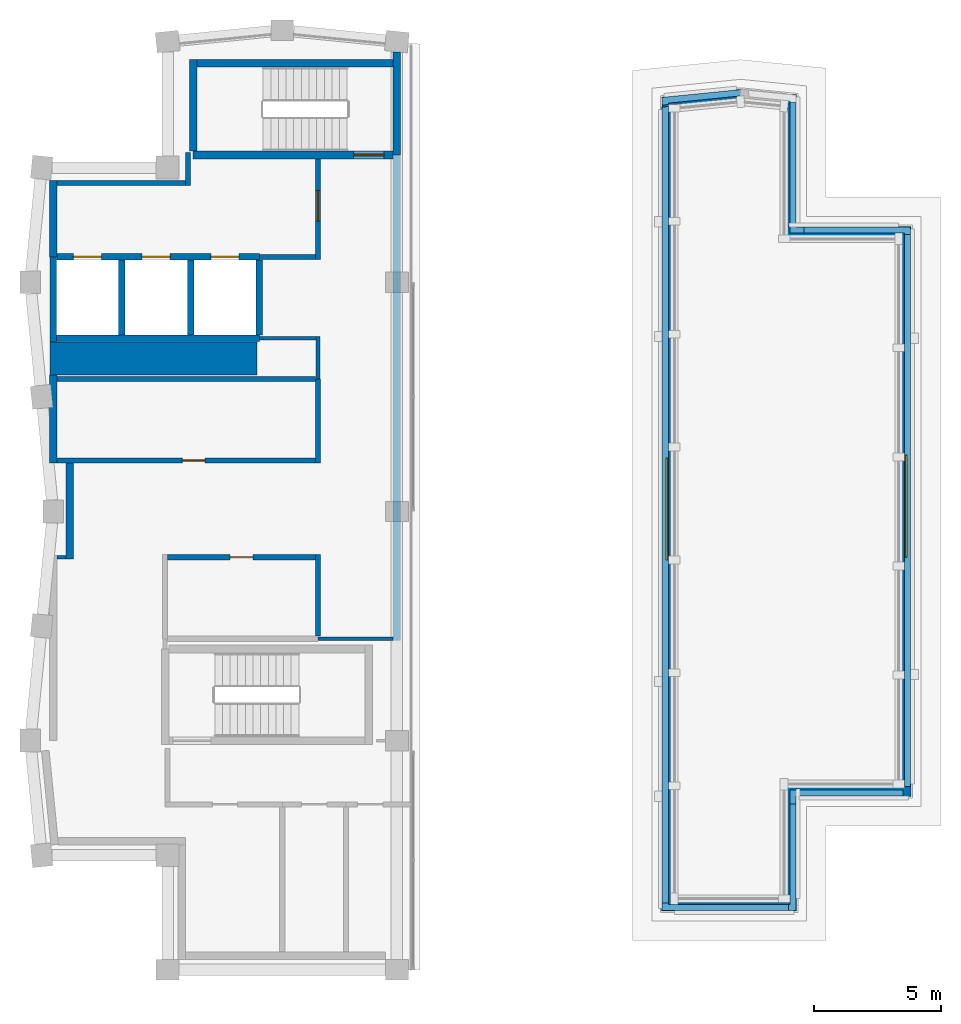
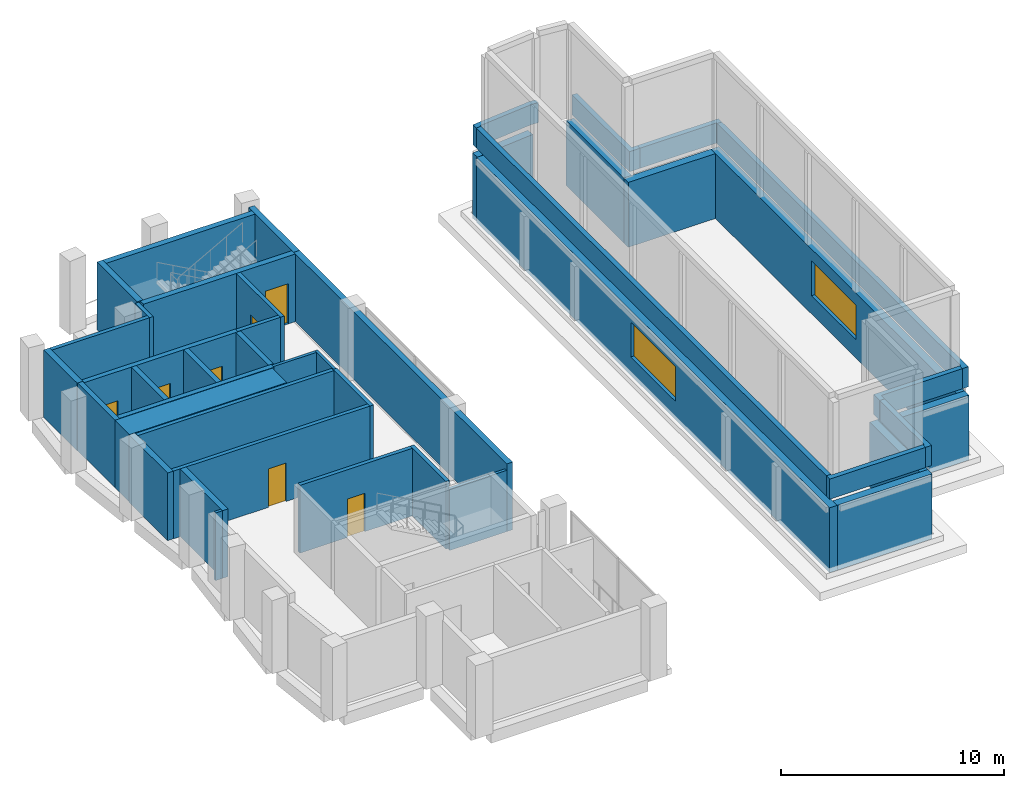
# One storey, part 5 of 8: 44 walls, 7 doors, 2 windows, 9 openings.
"""IFC4 building model written with IfcOpenShell, lengths in metres."""

from ifc_helpers import new_model, si_unit, direction, frame, frame_2d, origin, place, context, subcontext, project, spatial, polyline, rectangle, outline, extrude, material, layer, layer_set, type_object, element, fill, save


model = new_model("IFC4")

# Units and contexts
model_context = context("Model", 3, precision=1e-05, world=origin(), true_north=direction((0.0, 1.0)))
body_context = subcontext(model_context, "Body", "Model", "MODEL_VIEW")
ifc_project = project(units=[si_unit("LENGTHUNIT", "METRE"), si_unit("AREAUNIT", "SQUARE_METRE"), si_unit("VOLUMEUNIT", "CUBIC_METRE"), si_unit("PLANEANGLEUNIT", "RADIAN"), si_unit("MASSUNIT", "GRAM", prefix="KILO")], contexts=[model_context])

# Site, building, storey
site_placement = place(None, origin())
site = spatial("IfcSite", under=ifc_project, at=site_placement, CompositionType="ELEMENT")
building_placement = place(site_placement, origin())
building = spatial("IfcBuilding", under=site, at=building_placement, Name="Brondeck Convention Tower", CompositionType="ELEMENT")
storey_placement = place(building_placement, frame((0.0, 0.0, 302.800048828125)))
storey = spatial("IfcBuildingStorey", under=building, at=storey_placement, Name="L75", CompositionType="ELEMENT", Elevation=302.800048828125)

# Walls
ifc_material_1 = material(Name="Concrete C50/60", Category="concrete")
ifc_layer_1 = layer(ifc_material_1, 0.300048828125)
ifc_layer_set_1 = layer_set([ifc_layer_1], Name="Core outer wall 300 Concrete C50/60")
wall_type_1 = type_object("IfcWallType", Name="Core outer wall 300 Concrete C50/60", PredefinedType="SHEAR", material=ifc_layer_set_1)
wall_1_placement = place(storey_placement, frame((0.0, 46.89990234375, 0.0), z_axis=(0.0, 0.0, 1.0), x_axis=(0.0, 1.0, 0.0)))
element("IfcWall", 1, at=wall_1_placement, inside=storey, type_object=wall_type_1, Name="L75 core wall", PredefinedType="SHEAR", context=body_context, shape_type="SweptSolid", body=[
    extrude(rectangle(XDim=3.4501953125, YDim=0.300048828125, at=frame_2d((1.72509765625, 0.0))), origin(), (0.0, 0.0, 1.0), 3.699951171875),
])
wall_2_placement = place(storey_placement, frame((0.0, 55.0, 0.0), z_axis=(0.0, 0.0, 1.0), x_axis=(0.0, 1.0, 0.0)))
element("IfcWall", 2, at=wall_2_placement, inside=storey, type_object=wall_type_1, Name="L75 core wall", PredefinedType="SHEAR", context=body_context, shape_type="SweptSolid", body=[
    extrude(rectangle(XDim=3.0, YDim=0.300048828125, at=frame_2d((1.5, 0.0))), origin(), (0.0, 0.0, 1.0), 3.699951171875),
])
wall_3_placement = place(storey_placement, frame((0.64990234375, 43.125, 0.0), z_axis=(0.0, 0.0, 1.0), x_axis=(0.0, 1.0, 0.0)))
element("IfcWall", 3, at=wall_3_placement, inside=storey, type_object=wall_type_1, Name="L75 core wall", PredefinedType="SHEAR", context=body_context, shape_type="SweptSolid", body=[
    extrude(rectangle(XDim=3.77490234375, YDim=0.300048828125, at=frame_2d((1.887451171875, 0.0))), origin(), (0.0, 0.0, 1.0), 3.699951171875),
])
wall_4_placement = place(storey_placement, frame((13.5, 39.925048828125, 0.0), z_axis=(0.0, 0.0, 1.0), x_axis=(0.0, 1.0, 0.0)))
element("IfcWall", 4, at=wall_4_placement, inside=storey, type_object=wall_type_1, Name="L75 core wall", PredefinedType="SHEAR", context=body_context, shape_type="SweptSolid", body=[
    extrude(rectangle(XDim=19.074951171875, YDim=0.300048828125, at=frame_2d((9.53759765625, 0.0))), origin(), (0.0, 0.0, 1.0), 3.699951171875),
])
ifc_material_2 = material(Name="Fire-rated gypsum board partition")
ifc_layer_2 = layer(ifc_material_2, 0.14990234375)
ifc_layer_set_2 = layer_set([ifc_layer_2], Name="Core partition 150 EI 60")
wall_type_2 = type_object("IfcWallType", Name="Core partition 150 EI 60", PredefinedType="PARTITIONING", material=ifc_layer_set_2)
wall_5_placement = place(storey_placement, frame((10.39990234375, 40.0, 0.0), z_axis=(0.0, 0.0, 1.0), x_axis=(1.0, 0.0, 0.0)))
element("IfcWall", 5, at=wall_5_placement, inside=storey, type_object=wall_type_2, Name="L75 core wall", PredefinedType="PARTITIONING", context=body_context, shape_type="SweptSolid", body=[
    extrude(rectangle(XDim=2.9501953125, YDim=0.14990234375, at=frame_2d((1.47509765625, 0.0))), origin(), (0.0, 0.0, 1.0), 3.349853515625),
])
wall_6_placement = place(storey_placement, frame((0.14990234375, 43.199951171875, 0.0), z_axis=(0.0, 0.0, 1.0), x_axis=(1.0, 0.0, 0.0)))
element("IfcWall", 6, at=wall_6_placement, inside=storey, type_object=wall_type_2, Name="L75 core wall", PredefinedType="PARTITIONING", context=body_context, shape_type="SweptSolid", body=[
    extrude(rectangle(XDim=0.35009765625, YDim=0.14990234375, at=frame_2d((0.175048828125, 0.0))), origin(), (0.0, 0.0, 1.0), 3.699951171875),
])
wall_7_placement = place(storey_placement, frame((8.10009765625, 51.800048828125, 0.0), z_axis=(0.0, 0.0, 1.0), x_axis=(1.0, 0.0, 0.0)))
element("IfcWall", 7, at=wall_7_placement, inside=storey, type_object=wall_type_2, Name="L75 core wall", PredefinedType="PARTITIONING", context=body_context, shape_type="SweptSolid", body=[
    extrude(rectangle(XDim=2.224853515625, YDim=0.14990234375, at=frame_2d((1.1123046875, 0.0))), origin(), (0.0, 0.0, 1.0), 3.699951171875),
])
wall_8_placement = place(storey_placement, frame((10.39990234375, 50.199951171875, 0.0), z_axis=(0.0, 0.0, 1.0), x_axis=(0.0, 1.0, 0.0)))
element("IfcWall", 8, at=wall_8_placement, inside=storey, type_object=wall_type_2, Name="L75 core wall", PredefinedType="PARTITIONING", context=body_context, shape_type="SweptSolid", body=[
    extrude(rectangle(XDim=1.675048828125, YDim=0.14990234375, at=frame_2d((0.83740234375, 0.0))), origin(), (0.0, 0.0, 1.0), 3.699951171875),
])
ifc_layer_3 = layer(ifc_material_1, 1.300048828125)
ifc_layer_set_3 = layer_set([ifc_layer_3], Name="Core shear wall 1300 Concrete C50/60")
wall_type_3 = type_object("IfcWallType", Name="Core shear wall 1300 Concrete C50/60", PredefinedType="SHEAR", material=ifc_layer_set_3)
wall_9_placement = place(storey_placement, frame((-0.125, 51.0, 0.0), z_axis=(0.0, 0.0, 1.0), x_axis=(1.0, 0.0, 0.0)))
element("IfcWall", 9, at=wall_9_placement, inside=storey, type_object=wall_type_3, Name="L75 core wall", PredefinedType="SHEAR", context=body_context, shape_type="SweptSolid", body=[
    extrude(rectangle(XDim=8.125, YDim=1.300048828125, at=frame_2d((4.0625, 0.0))), origin(), (0.0, 0.0, 1.0), 3.699951171875),
])
ifc_material_3 = material(Name="Precast concrete C50/60 bronze finish", Category="concrete")
ifc_layer_4 = layer(ifc_material_3, 0.39990234375)
ifc_layer_set_4 = layer_set([ifc_layer_4], Name="Crown tier wall, precast concrete C50/60")
wall_type_4 = type_object("IfcWallType", Name="Crown tier wall, precast concrete C50/60", PredefinedType="SOLIDWALL", material=ifc_layer_set_4)
wall_10_placement = place(storey_placement, frame((29.199951171875, 29.5, 0.5), z_axis=(0.0, 0.0, 1.0), x_axis=(-1.0, 0.0, 0.0)))
element("IfcWall", 10, at=wall_10_placement, inside=storey, type_object=wall_type_4, Name="ENV-CT-K2-T2-W01", PredefinedType="SOLIDWALL", context=body_context, shape_type="SweptSolid", body=[
    extrude(rectangle(XDim=4.89990234375, YDim=0.39990234375, at=frame_2d((2.449951171875, 0.0))), origin(), (0.0, 0.0, 1.0), 3.550048828125),
])
for number, where, z_axis, x_axis, name in (
    (11, (29.0, 34.199951171875, 0.5), (0.0, 0.0, 1.0), (0.0, -1.0, 0.0), "ENV-CT-K2-T2-W02"),
    (12, (33.699951171875, 34.0, 0.5), (0.0, 0.0, 1.0), (-1.0, 0.0, 0.0), "ENV-CT-K2-T2-W03"),
):
    element("IfcWall", number, at=place(storey_placement, frame(where, z_axis=z_axis, x_axis=x_axis)), inside=storey, type_object=wall_type_4, Name=name, PredefinedType="SOLIDWALL", context=body_context, shape_type="SweptSolid", body=[
        extrude(rectangle(XDim=4.5, YDim=0.39990234375, at=frame_2d((2.25, 0.0))), origin(), (0.0, 0.0, 1.0), 3.550048828125),
    ])

# Wall, opening, window
wall_11_placement = place(storey_placement, frame((33.5, 56.199951171875, 0.5), z_axis=(0.0, 0.0, 1.0), x_axis=(0.0, -1.0, 0.0)))
wall_11 = element("IfcWall", 13, at=wall_11_placement, inside=storey, type_object=wall_type_4, Name="ENV-CT-K2-T2-W04", PredefinedType="SOLIDWALL", context=body_context, shape_type="SweptSolid", body=[
    extrude(rectangle(XDim=22.001953125, YDim=0.39990234375, at=frame_2d((11.0009765625, 0.0))), origin(), (0.0, 0.0, 1.0), 3.550048828125),
])
opening_1_placement = place(wall_11_placement, frame((9.0009765625, 0.0, 1.0)))
opening_1 = element("IfcOpeningElement", 14, at=opening_1_placement, cuts=wall_11, Name="Opening W7", PredefinedType="OPENING", context=body_context, shape_type="SweptSolid", body=[
    extrude(rectangle(XDim=4.0, YDim=1.89990234375, at=frame_2d((2.0, 0.949951171875))), frame((0.0, 0.2099609375, 0.0), z_axis=(0.0, -1.0, 0.0), x_axis=(1.0, 0.0, 0.0)), (0.0, 0.0, 1.0), 0.419921875),
])
ifc_material_4 = material(Name="Bronze tinted double glazing", Category="glass")
window_type = type_object("IfcWindowType", Name="Crown tier ribbon window, bronze tinted", PartitioningType="SINGLE_PANEL", PredefinedType="WINDOW", material=ifc_material_4)
window_1_placement = place(opening_1_placement, origin())
window_1 = element("IfcWindow", 15, at=window_1_placement, inside=storey, type_object=window_type, Name="ENV-CT-K2-T2-WN04", OverallHeight=1.89990234375, OverallWidth=4.0, PartitioningType="SINGLE_PANEL", PredefinedType="WINDOW", context=body_context, shape_type="SweptSolid", body=[
    extrude(rectangle(XDim=4.0, YDim=1.89990234375, at=frame_2d((2.0, 0.949951171875))), frame((0.0, 0.030029296875, 0.0), z_axis=(0.0, -1.0, 0.0), x_axis=(1.0, 0.0, 0.0)), (0.0, 0.0, 1.0), 0.06005859375),
])
fill(opening_1, window_1)

# Walls
wall_12_placement = place(storey_placement, frame((28.800048828125, 56.0, 0.5), z_axis=(0.0, 0.0, 1.0), x_axis=(1.0, 0.0, 0.0)))
element("IfcWall", 16, at=wall_12_placement, inside=storey, type_object=wall_type_4, Name="ENV-CT-K2-T2-W05", PredefinedType="SOLIDWALL", context=body_context, shape_type="SweptSolid", body=[
    extrude(rectangle(XDim=4.501953125, YDim=0.39990234375, at=frame_2d((2.2509765625, 0.0))), origin(), (0.0, 0.0, 1.0), 3.550048828125),
])
wall_13_placement = place(storey_placement, frame((29.0, 61.368408203125, 0.5), z_axis=(0.0, 0.0, 1.0), x_axis=(0.0, -1.0, 0.0)))
element("IfcWall", 17, at=wall_13_placement, inside=storey, type_object=wall_type_4, Name="ENV-CT-K2-T2-W06", PredefinedType="SOLIDWALL", context=body_context, shape_type="SweptSolid", body=[
    extrude(rectangle(XDim=5.17041015625, YDim=0.39990234375, at=frame_2d((2.585205078125, 0.0))), origin(), (0.0, 0.0, 1.0), 3.550048828125),
])
wall_14_placement = place(storey_placement, frame((23.919921875, 61.07958984375, 0.5), z_axis=(0.0, 0.0, 1.0), x_axis=(0.995041147596, 0.099464137212, 0.0)))
element("IfcWall", 18, at=wall_14_placement, inside=storey, type_object=wall_type_4, Name="ENV-CT-K2-T2-W08", PredefinedType="SOLIDWALL", context=body_context, shape_type="SweptSolid", body=[
    extrude(rectangle(XDim=3.053466796875, YDim=0.39990234375, at=frame_2d((1.52685546875, 0.0))), origin(), (0.0, 0.0, 1.0), 3.550048828125),
])

# Wall, opening, window
wall_15_placement = place(storey_placement, frame((24.10009765625, 29.300048828125, 0.5), z_axis=(0.0, 0.0, 1.0), x_axis=(0.0, 1.0, 0.0)))
wall_15 = element("IfcWall", 19, at=wall_15_placement, inside=storey, type_object=wall_type_4, Name="ENV-CT-K2-T2-W09", PredefinedType="SOLIDWALL", context=body_context, shape_type="SweptSolid", body=[
    extrude(rectangle(XDim=31.591552734375, YDim=0.39990234375, at=frame_2d((15.7958984375, 0.0))), origin(), (0.0, 0.0, 1.0), 3.550048828125),
])
opening_2_placement = place(wall_15_placement, frame((13.795654296875, 0.0, 1.0)))
opening_2 = element("IfcOpeningElement", 20, at=opening_2_placement, cuts=wall_15, Name="Opening W7", PredefinedType="OPENING", context=body_context, shape_type="SweptSolid", body=[
    extrude(rectangle(XDim=4.0, YDim=1.89990234375, at=frame_2d((2.0, 0.949951171875))), frame((0.0, 0.2099609375, 0.0), z_axis=(0.0, -1.0, 0.0), x_axis=(1.0, 0.0, 0.0)), (0.0, 0.0, 1.0), 0.419921875),
])
window_2_placement = place(opening_2_placement, origin())
window_2 = element("IfcWindow", 21, at=window_2_placement, inside=storey, type_object=window_type, Name="ENV-CT-K2-T2-WN09", OverallHeight=1.89990234375, OverallWidth=4.0, PartitioningType="SINGLE_PANEL", PredefinedType="WINDOW", context=body_context, shape_type="SweptSolid", body=[
    extrude(rectangle(XDim=4.0, YDim=1.89990234375, at=frame_2d((2.0, 0.949951171875))), frame((0.0, 0.030029296875, 0.0), z_axis=(0.0, -1.0, 0.0), x_axis=(1.0, 0.0, 0.0)), (0.0, 0.0, 1.0), 0.06005859375),
])
fill(opening_2, window_2)

# Walls
ifc_layer_5 = layer(ifc_material_2, 0.199951171875)
ifc_layer_set_5 = layer_set([ifc_layer_5], Name="Firefighting lobby wall 200 EI 120")
wall_type_5 = type_object("IfcWallType", Name="Firefighting lobby wall 200 EI 120", PredefinedType="PARTITIONING", material=ifc_layer_set_5)
wall_16_placement = place(storey_placement, frame((8.10009765625, 55.0, 0.0), z_axis=(0.0, 0.0, 1.0), x_axis=(1.0, 0.0, 0.0)))
element("IfcWall", 22, at=wall_16_placement, inside=storey, type_object=wall_type_5, Name="L75 core wall", PredefinedType="PARTITIONING", context=body_context, shape_type="SweptSolid", body=[
    extrude(rectangle(XDim=2.199951171875, YDim=0.199951171875, at=frame_2d((1.10009765625, 0.0))), origin(), (0.0, 0.0, 1.0), 3.699951171875),
])
wall_17_placement = place(storey_placement, frame((0.14990234375, 57.89990234375, 0.0), z_axis=(0.0, 0.0, 1.0), x_axis=(1.0, 0.0, 0.0)))
element("IfcWall", 23, at=wall_17_placement, inside=storey, type_object=wall_type_5, Name="L75 core wall", PredefinedType="PARTITIONING", context=body_context, shape_type="SweptSolid", body=[
    extrude(rectangle(XDim=5.050048828125, YDim=0.199951171875, at=frame_2d((2.52490234375, 0.0))), origin(), (0.0, 0.0, 1.0), 3.699951171875),
])
wall_18_placement = place(storey_placement, frame((5.300048828125, 57.800048828125, 0.0), z_axis=(0.0, 0.0, 1.0), x_axis=(0.0, 1.0, 0.0)))
element("IfcWall", 24, at=wall_18_placement, inside=storey, type_object=wall_type_5, Name="L75 core wall", PredefinedType="PARTITIONING", context=body_context, shape_type="SweptSolid", body=[
    extrude(rectangle(XDim=1.300048828125, YDim=0.199951171875, at=frame_2d((0.64990234375, 0.0))), origin(), (0.0, 0.0, 1.0), 3.699951171875),
])

# Wall, opening, door
wall_19_placement = place(storey_placement, frame((10.39990234375, 54.89990234375, 0.0), z_axis=(0.0, 0.0, 1.0), x_axis=(0.0, 1.0, 0.0)))
wall_19 = element("IfcWall", 25, at=wall_19_placement, inside=storey, type_object=wall_type_5, Name="L75 core wall", PredefinedType="PARTITIONING", context=body_context, shape_type="SweptSolid", body=[
    extrude(rectangle(XDim=3.9501953125, YDim=0.199951171875, at=frame_2d((1.97509765625, 0.0))), origin(), (0.0, 0.0, 1.0), 3.699951171875),
])
opening_3_placement = place(wall_19_placement, frame((1.5, 0.0, 0.0)))
opening_3 = element("IfcOpeningElement", 26, at=opening_3_placement, cuts=wall_19, Name="Opening C43-01", PredefinedType="OPENING", context=body_context, shape_type="SweptSolid", body=[
    extrude(rectangle(XDim=1.199951171875, YDim=2.199951171875, at=frame_2d((0.60009765625, 1.10009765625))), frame((0.0, 0.10986328125, 0.0), z_axis=(0.0, -1.0, 0.0), x_axis=(1.0, 0.0, 0.0)), (0.0, 0.0, 1.0), 0.219970703125),
])
ifc_material_5 = material(Name="Steel fire door", Category="steel")
door_type_1 = type_object("IfcDoorType", Name="Firefighting lobby door 1200x2200 EI 120", OperationType="NOTDEFINED", PredefinedType="DOOR", material=ifc_material_5)
door_1_placement = place(opening_3_placement, origin())
door_1 = element("IfcDoor", 27, at=door_1_placement, inside=storey, type_object=door_type_1, Name="L75 Firefighting lobby door FFL-1", OperationType="SINGLE_SWING_RIGHT", OverallHeight=2.199951171875, OverallWidth=1.199951171875, PredefinedType="DOOR", context=body_context, shape_type="SweptSolid", body=[
    extrude(rectangle(XDim=1.199951171875, YDim=2.199951171875, at=frame_2d((0.60009765625, 1.10009765625))), frame((0.0, 0.02490234375, 0.0), z_axis=(0.0, -1.0, 0.0), x_axis=(1.0, 0.0, 0.0)), (0.0, 0.0, 1.0), 0.050048828125),
])
fill(opening_3, door_1)

# Wall
ifc_layer_6 = layer(ifc_material_1, 0.25)
ifc_layer_set_6 = layer_set([ifc_layer_6], Name="Lift shaft wall 250 Concrete C50/60")
wall_type_6 = type_object("IfcWallType", Name="Lift shaft wall 250 Concrete C50/60", PredefinedType="SHEAR", material=ifc_layer_set_6)
wall_20_placement = place(storey_placement, frame((0.125, 51.800048828125, 0.0), z_axis=(0.0, 0.0, 1.0), x_axis=(1.0, 0.0, 0.0)))
element("IfcWall", 28, at=wall_20_placement, inside=storey, type_object=wall_type_6, Name="L75 core wall", PredefinedType="SHEAR", context=body_context, shape_type="SweptSolid", body=[
    extrude(rectangle(XDim=7.97509765625, YDim=0.25, at=frame_2d((3.987548828125, 0.0))), origin(), (0.0, 0.0, 1.0), 3.699951171875),
])

# Wall, openings, doors
wall_21_placement = place(storey_placement, frame((0.14990234375, 55.0, 0.0), z_axis=(0.0, 0.0, 1.0), x_axis=(1.0, 0.0, 0.0)))
wall_21 = element("IfcWall", 29, at=wall_21_placement, inside=storey, type_object=wall_type_6, Name="L75 core wall", PredefinedType="SHEAR", context=body_context, shape_type="SweptSolid", body=[
    extrude(rectangle(XDim=7.9501953125, YDim=0.25, at=frame_2d((3.97509765625, 0.0))), origin(), (0.0, 0.0, 1.0), 3.699951171875),
])
opening_4_placement = place(wall_21_placement, frame((0.64990234375, 0.0, 0.0)))
opening_4 = element("IfcOpeningElement", 30, at=opening_4_placement, cuts=wall_21, Name="Opening C43-06", PredefinedType="OPENING", context=body_context, shape_type="SweptSolid", body=[
    extrude(rectangle(XDim=1.10009765625, YDim=2.10009765625, at=frame_2d((0.550048828125, 1.050048828125))), frame((0.0, 0.135009765625, 0.0), z_axis=(0.0, -1.0, 0.0), x_axis=(1.0, 0.0, 0.0)), (0.0, 0.0, 1.0), 0.27001953125),
])
opening_5_placement = place(wall_21_placement, frame((3.35009765625, 0.0, 0.0)))
opening_5 = element("IfcOpeningElement", 31, at=opening_5_placement, cuts=wall_21, Name="Opening C43-07", PredefinedType="OPENING", context=body_context, shape_type="SweptSolid", body=[
    extrude(rectangle(XDim=1.10009765625, YDim=2.10009765625, at=frame_2d((0.550048828125, 1.050048828125))), frame((0.0, 0.135009765625, 0.0), z_axis=(0.0, -1.0, 0.0), x_axis=(1.0, 0.0, 0.0)), (0.0, 0.0, 1.0), 0.27001953125),
])
opening_6_placement = place(wall_21_placement, frame((6.050048828125, 0.0, 0.0)))
opening_6 = element("IfcOpeningElement", 32, at=opening_6_placement, cuts=wall_21, Name="Opening C43-08", PredefinedType="OPENING", context=body_context, shape_type="SweptSolid", body=[
    extrude(rectangle(XDim=1.10009765625, YDim=2.10009765625, at=frame_2d((0.550048828125, 1.050048828125))), frame((0.0, 0.135009765625, 0.0), z_axis=(0.0, -1.0, 0.0), x_axis=(1.0, 0.0, 0.0)), (0.0, 0.0, 1.0), 0.27001953125),
])
ifc_material_6 = material(Name="Stainless steel lift door", Category="steel")
door_type_2 = type_object("IfcDoorType", Name="Lift landing door 1100x2100 EI 180", OperationType="DOUBLE_DOOR_SLIDING", PredefinedType="DOOR", material=ifc_material_6)
door_2_placement = place(opening_4_placement, origin())
door_2 = element("IfcDoor", 33, at=door_2_placement, inside=storey, type_object=door_type_2, Name="L75 Lift landing door FF1", OperationType="DOUBLE_DOOR_SLIDING", OverallHeight=2.10009765625, OverallWidth=1.10009765625, PredefinedType="DOOR", context=body_context, shape_type="SweptSolid", body=[
    extrude(rectangle(XDim=1.10009765625, YDim=2.10009765625, at=frame_2d((0.550048828125, 1.050048828125))), frame((0.0, 0.02490234375, 0.0), z_axis=(0.0, -1.0, 0.0), x_axis=(1.0, 0.0, 0.0)), (0.0, 0.0, 1.0), 0.050048828125),
])
fill(opening_4, door_2)
door_3_placement = place(opening_5_placement, origin())
door_3 = element("IfcDoor", 34, at=door_3_placement, inside=storey, type_object=door_type_2, Name="L75 Lift landing door FF2", OperationType="DOUBLE_DOOR_SLIDING", OverallHeight=2.10009765625, OverallWidth=1.10009765625, PredefinedType="DOOR", context=body_context, shape_type="SweptSolid", body=[
    extrude(rectangle(XDim=1.10009765625, YDim=2.10009765625, at=frame_2d((0.550048828125, 1.050048828125))), frame((0.0, 0.02490234375, 0.0), z_axis=(0.0, -1.0, 0.0), x_axis=(1.0, 0.0, 0.0)), (0.0, 0.0, 1.0), 0.050048828125),
])
fill(opening_5, door_3)
door_4_placement = place(opening_6_placement, origin())
door_4 = element("IfcDoor", 35, at=door_4_placement, inside=storey, type_object=door_type_2, Name="L75 Lift landing door FF3", OperationType="DOUBLE_DOOR_SLIDING", OverallHeight=2.10009765625, OverallWidth=1.10009765625, PredefinedType="DOOR", context=body_context, shape_type="SweptSolid", body=[
    extrude(rectangle(XDim=1.10009765625, YDim=2.10009765625, at=frame_2d((0.550048828125, 1.050048828125))), frame((0.0, 0.02490234375, 0.0), z_axis=(0.0, -1.0, 0.0), x_axis=(1.0, 0.0, 0.0)), (0.0, 0.0, 1.0), 0.050048828125),
])
fill(opening_6, door_4)

# Walls
wall_22_placement = place(storey_placement, frame((0.0, 51.64990234375, 0.0), z_axis=(0.0, 0.0, 1.0), x_axis=(0.0, 1.0, 0.0)))
element("IfcWall", 36, at=wall_22_placement, inside=storey, type_object=wall_type_6, Name="L75 core wall", PredefinedType="SHEAR", context=body_context, shape_type="SweptSolid", body=[
    extrude(rectangle(XDim=3.35009765625, YDim=0.25, at=frame_2d((1.675048828125, 0.0))), origin(), (0.0, 0.0, 1.0), 3.699951171875),
])
for number, where, z_axis, x_axis, name in (
    (37, (2.699951171875, 51.925048828125, 0.0), (0.0, 0.0, 1.0), (0.0, 1.0, 0.0), "L75 core wall"),
    (38, (5.39990234375, 51.925048828125, 0.0), (0.0, 0.0, 1.0), (0.0, 1.0, 0.0), "L75 core wall"),
    (39, (8.10009765625, 51.925048828125, 0.0), (0.0, 0.0, 1.0), (0.0, 1.0, 0.0), "L75 core wall"),
):
    element("IfcWall", number, at=place(storey_placement, frame(where, z_axis=z_axis, x_axis=x_axis)), inside=storey, type_object=wall_type_6, Name=name, PredefinedType="SHEAR", context=body_context, shape_type="SweptSolid", body=[
        extrude(rectangle(XDim=2.949951171875, YDim=0.25, at=frame_2d((1.47509765625, 0.0))), origin(), (0.0, 0.0, 1.0), 3.699951171875),
    ])

# Wall, opening, door
ifc_layer_7 = layer(ifc_material_2, 0.199951171875)
ifc_layer_set_7 = layer_set([ifc_layer_7], Name="Plant room wall 200 EI 120")
wall_type_7 = type_object("IfcWallType", Name="Plant room wall 200 EI 120", PredefinedType="PARTITIONING", material=ifc_layer_set_7)
wall_23_placement = place(storey_placement, frame((4.5, 43.199951171875, 0.0), z_axis=(0.0, 0.0, 1.0), x_axis=(1.0, 0.0, 0.0)))
wall_23 = element("IfcWall", 40, at=wall_23_placement, inside=storey, type_object=wall_type_7, Name="L75 core wall", PredefinedType="PARTITIONING", context=body_context, shape_type="SweptSolid", body=[
    extrude(rectangle(XDim=5.800048828125, YDim=0.199951171875, at=frame_2d((2.89990234375, 0.0))), origin(), (0.0, 0.0, 1.0), 3.699951171875),
])
opening_7_placement = place(wall_23_placement, frame((2.449951171875, 0.0, 0.0)))
opening_7 = element("IfcOpeningElement", 41, at=opening_7_placement, cuts=wall_23, Name="Opening C43-03", PredefinedType="OPENING", context=body_context, shape_type="SweptSolid", body=[
    extrude(rectangle(XDim=0.89990234375, YDim=2.10009765625, at=frame_2d((0.449951171875, 1.050048828125))), frame((0.0, 0.10986328125, 0.0), z_axis=(0.0, -1.0, 0.0), x_axis=(1.0, 0.0, 0.0)), (0.0, 0.0, 1.0), 0.219970703125),
])
door_type_3 = type_object("IfcDoorType", Name="Room door 900x2100 EI 120", OperationType="NOTDEFINED", PredefinedType="DOOR", material=ifc_material_5)
door_5_placement = place(opening_7_placement, origin())
door_5 = element("IfcDoor", 42, at=door_5_placement, inside=storey, type_object=door_type_3, Name="L75 Room door FZ-S-4.4-1", OperationType="SINGLE_SWING_LEFT", OverallHeight=2.10009765625, OverallWidth=0.89990234375, PredefinedType="DOOR", context=body_context, shape_type="SweptSolid", body=[
    extrude(rectangle(XDim=0.89990234375, YDim=2.10009765625, at=frame_2d((0.449951171875, 1.050048828125))), frame((0.0, 0.02490234375, 0.0), z_axis=(0.0, -1.0, 0.0), x_axis=(1.0, 0.0, 0.0)), (0.0, 0.0, 1.0), 0.050048828125),
])
fill(opening_7, door_5)

wall_24_placement = place(storey_placement, frame((0.14990234375, 47.0, 0.0), z_axis=(0.0, 0.0, 1.0), x_axis=(1.0, 0.0, 0.0)))
wall_24 = element("IfcWall", 43, at=wall_24_placement, inside=storey, type_object=wall_type_7, Name="L75 core wall", PredefinedType="PARTITIONING", context=body_context, shape_type="SweptSolid", body=[
    extrude(rectangle(XDim=10.150146484375, YDim=0.199951171875, at=frame_2d((5.0751953125, 0.0))), origin(), (0.0, 0.0, 1.0), 3.699951171875),
])
opening_8_placement = place(wall_24_placement, frame((4.925048828125, 0.0, 0.0)))
opening_8 = element("IfcOpeningElement", 44, at=opening_8_placement, cuts=wall_24, Name="Opening C43-02", PredefinedType="OPENING", context=body_context, shape_type="SweptSolid", body=[
    extrude(rectangle(XDim=0.89990234375, YDim=2.10009765625, at=frame_2d((0.449951171875, 1.050048828125))), frame((0.0, 0.10986328125, 0.0), z_axis=(0.0, -1.0, 0.0), x_axis=(1.0, 0.0, 0.0)), (0.0, 0.0, 1.0), 0.219970703125),
])
door_6_placement = place(opening_8_placement, origin())
door_6 = element("IfcDoor", 45, at=door_6_placement, inside=storey, type_object=door_type_3, Name="L75 Room door FZ-N-0-1", OperationType="SINGLE_SWING_RIGHT", OverallHeight=2.10009765625, OverallWidth=0.89990234375, PredefinedType="DOOR", context=body_context, shape_type="SweptSolid", body=[
    extrude(rectangle(XDim=0.89990234375, YDim=2.10009765625, at=frame_2d((0.449951171875, 1.050048828125))), frame((0.0, 0.02490234375, 0.0), z_axis=(0.0, -1.0, 0.0), x_axis=(1.0, 0.0, 0.0)), (0.0, 0.0, 1.0), 0.050048828125),
])
fill(opening_8, door_6)

# Walls
wall_25_placement = place(storey_placement, frame((0.14990234375, 50.199951171875, 0.0), z_axis=(0.0, 0.0, 1.0), x_axis=(1.0, 0.0, 0.0)))
element("IfcWall", 46, at=wall_25_placement, inside=storey, type_object=wall_type_7, Name="L75 core wall", PredefinedType="PARTITIONING", context=body_context, shape_type="SweptSolid", body=[
    extrude(rectangle(XDim=10.150146484375, YDim=0.199951171875, at=frame_2d((5.0751953125, 0.0))), origin(), (0.0, 0.0, 1.0), 3.699951171875),
])
wall_26_placement = place(storey_placement, frame((10.39990234375, 40.10009765625, 0.0), z_axis=(0.0, 0.0, 1.0), x_axis=(0.0, 1.0, 0.0)))
element("IfcWall", 47, at=wall_26_placement, inside=storey, type_object=wall_type_7, Name="L75 core wall", PredefinedType="PARTITIONING", context=body_context, shape_type="SweptSolid", body=[
    extrude(rectangle(XDim=3.199951171875, YDim=0.199951171875, at=frame_2d((1.60009765625, 0.0))), origin(), (0.0, 0.0, 1.0), 3.699951171875),
])
wall_27_placement = place(storey_placement, frame((10.39990234375, 46.89990234375, 0.0), z_axis=(0.0, 0.0, 1.0), x_axis=(0.0, 1.0, 0.0)))
element("IfcWall", 48, at=wall_27_placement, inside=storey, type_object=wall_type_7, Name="L75 core wall", PredefinedType="PARTITIONING", context=body_context, shape_type="SweptSolid", body=[
    extrude(rectangle(XDim=3.300048828125, YDim=0.199951171875, at=frame_2d((1.64990234375, 0.0))), origin(), (0.0, 0.0, 1.0), 3.699951171875),
])
ifc_material_7 = material(Name="Precast concrete C50/60", Category="concrete")
ifc_layer_8 = layer(ifc_material_7, 0.25)
ifc_layer_set_8 = layer_set([ifc_layer_8], Name="Roof parapet, precast concrete C50/60")
wall_type_8 = type_object("IfcWallType", Name="Roof parapet, precast concrete C50/60", PredefinedType="PARAPET", material=ifc_layer_set_8)
wall_28_placement = place(storey_placement, frame((0.0, 0.0, 4.5)))
element("IfcWall", 49, at=wall_28_placement, inside=storey, type_object=wall_type_8, Name="ENV-CT-K2-T2-PA01", PredefinedType="PARAPET", context=body_context, shape_type="SweptSolid", body=[
    extrude(outline(polyline([(27.328369140625, 61.2998046875), (27.304443359375, 61.5380859375), (27.0, 61.568359375), (23.919921875, 61.260498046875), (23.919921875, 60.958984375), (23.949951171875, 60.9619140625), (24.169921875, 60.98388671875), (24.169921875, 61.0341796875), (27.0, 61.317138671875), (27.251220703125, 61.2919921875), (27.328369140625, 61.2998046875)])), origin(), (0.0, 0.0, 1.0), 1.099853515625),
])
wall_29_placement = place(storey_placement, frame((0.0, 0.0, 4.5)))
element("IfcWall", 50, at=wall_29_placement, inside=storey, type_object=wall_type_8, Name="ENV-CT-K2-T2-PA03", PredefinedType="PARAPET", context=body_context, shape_type="SweptSolid", body=[
    extrude(outline(polyline([(28.929931640625, 55.929931640625), (29.47998046875, 55.929931640625), (29.47998046875, 56.179931640625), (29.179931640625, 56.179931640625), (29.179931640625, 61.0478515625), (29.179931640625, 61.0478515625), (29.179931640625, 61.0478515625), (28.929931640625, 61.072998046875), (28.929931640625, 55.929931640625)])), origin(), (0.0, 0.0, 1.0), 1.099853515625),
])
wall_30_placement = place(storey_placement, frame((0.0, 0.0, 4.5)))
element("IfcWall", 51, at=wall_30_placement, inside=storey, type_object=wall_type_8, Name="ENV-CT-K2-T2-PA04", PredefinedType="PARAPET", context=body_context, shape_type="SweptSolid", body=[
    extrude(outline(polyline([(33.429931640625, 55.929931640625), (33.429931640625, 55.8798828125), (33.679931640625, 55.8798828125), (33.679931640625, 56.179931640625), (29.48095703125, 56.179931640625), (29.48095703125, 55.929931640625), (33.429931640625, 55.929931640625)])), origin(), (0.0, 0.0, 1.0), 1.099853515625),
])
wall_31_placement = place(storey_placement, frame((0.0, 0.0, 4.5)))
element("IfcWall", 52, at=wall_31_placement, inside=storey, type_object=wall_type_8, Name="ENV-CT-K2-T2-PA05", PredefinedType="PARAPET", context=body_context, shape_type="SweptSolid", body=[
    extrude(outline(polyline([(33.429931640625, 34.070068359375), (33.3798828125, 34.070068359375), (33.3798828125, 33.820068359375), (33.679931640625, 33.820068359375), (33.679931640625, 55.87890625), (33.429931640625, 55.87890625), (33.429931640625, 34.070068359375)])), origin(), (0.0, 0.0, 1.0), 1.099853515625),
])
wall_32_placement = place(storey_placement, frame((0.0, 0.0, 4.5)))
element("IfcWall", 53, at=wall_32_placement, inside=storey, type_object=wall_type_8, Name="ENV-CT-K2-T2-PA06", PredefinedType="PARAPET", context=body_context, shape_type="SweptSolid", body=[
    extrude(outline(polyline([(28.929931640625, 34.070068359375), (28.929931640625, 33.52001953125), (29.179931640625, 33.52001953125), (29.179931640625, 33.820068359375), (33.37890625, 33.820068359375), (33.37890625, 34.070068359375), (28.929931640625, 34.070068359375)])), origin(), (0.0, 0.0, 1.0), 1.099853515625),
])
wall_33_placement = place(storey_placement, frame((0.0, 0.0, 4.5)))
element("IfcWall", 54, at=wall_33_placement, inside=storey, type_object=wall_type_8, Name="ENV-CT-K2-T2-PA07", PredefinedType="PARAPET", context=body_context, shape_type="SweptSolid", body=[
    extrude(outline(polyline([(28.929931640625, 29.570068359375), (28.8798828125, 29.570068359375), (28.8798828125, 29.320068359375), (29.179931640625, 29.320068359375), (29.179931640625, 33.51904296875), (29.179931640625, 33.51904296875), (28.929931640625, 33.51904296875), (28.929931640625, 29.570068359375)])), origin(), (0.0, 0.0, 1.0), 1.099853515625),
])
wall_34_placement = place(storey_placement, frame((0.0, 0.0, 4.5)))
element("IfcWall", 55, at=wall_34_placement, inside=storey, type_object=wall_type_8, Name="ENV-CT-K2-T2-PA08", PredefinedType="PARAPET", context=body_context, shape_type="SweptSolid", body=[
    extrude(outline(polyline([(24.169921875, 29.570068359375), (24.169921875, 29.6201171875), (23.919921875, 29.6201171875), (23.919921875, 29.320068359375), (28.87890625, 29.320068359375), (28.87890625, 29.320068359375), (28.87890625, 29.570068359375), (24.169921875, 29.570068359375)])), origin(), (0.0, 0.0, 1.0), 1.099853515625),
])
wall_35_placement = place(storey_placement, frame((0.0, 0.0, 4.5)))
element("IfcWall", 56, at=wall_35_placement, inside=storey, type_object=wall_type_8, Name="ENV-CT-K2-T2-PA09", PredefinedType="PARAPET", context=body_context, shape_type="SweptSolid", body=[
    extrude(outline(polyline([(24.169921875, 29.62109375), (24.169921875, 60.98291015625), (23.949951171875, 60.9609375), (23.920166015625, 60.9580078125), (23.919921875, 60.9580078125), (23.919921875, 60.9580078125), (23.919921875, 29.62109375), (23.919921875, 29.62109375), (24.169921875, 29.62109375)])), origin(), (0.0, 0.0, 1.0), 1.099853515625),
])

# Wall, opening, door
ifc_layer_9 = layer(ifc_material_1, 0.300048828125)
ifc_layer_set_9 = layer_set([ifc_layer_9], Name="Stair enclosure wall 300 Concrete C50/60")
wall_type_9 = type_object("IfcWallType", Name="Stair enclosure wall 300 Concrete C50/60", PredefinedType="SHEAR", material=ifc_layer_set_9)
wall_36_placement = place(storey_placement, frame((5.5, 59.0, 0.0), z_axis=(0.0, 0.0, 1.0), x_axis=(1.0, 0.0, 0.0)))
wall_36 = element("IfcWall", 57, at=wall_36_placement, inside=storey, type_object=wall_type_9, Name="L75 core wall", PredefinedType="SHEAR", context=body_context, shape_type="SweptSolid", body=[
    extrude(rectangle(XDim=7.85009765625, YDim=0.300048828125, at=frame_2d((3.925048828125, 0.0))), origin(), (0.0, 0.0, 1.0), 3.699951171875),
])
opening_9_placement = place(wall_36_placement, frame((6.300048828125, 0.0, 0.0)))
opening_9 = element("IfcOpeningElement", 58, at=opening_9_placement, cuts=wall_36, Name="Opening C43-05", PredefinedType="OPENING", context=body_context, shape_type="SweptSolid", body=[
    extrude(rectangle(XDim=1.199951171875, YDim=2.199951171875, at=frame_2d((0.60009765625, 1.10009765625))), frame((0.0, 0.159912109375, 0.0), z_axis=(0.0, -1.0, 0.0), x_axis=(1.0, 0.0, 0.0)), (0.0, 0.0, 1.0), 0.320068359375),
])
door_type_4 = type_object("IfcDoorType", Name="Stair door 1200x2200 EI 120", OperationType="NOTDEFINED", PredefinedType="DOOR", material=ifc_material_5)
door_7_placement = place(opening_9_placement, origin())
door_7 = element("IfcDoor", 59, at=door_7_placement, inside=storey, type_object=door_type_4, Name="L75 Stair door ST-3", OperationType="SINGLE_SWING_RIGHT", OverallHeight=2.199951171875, OverallWidth=1.199951171875, PredefinedType="DOOR", context=body_context, shape_type="SweptSolid", body=[
    extrude(rectangle(XDim=1.199951171875, YDim=2.199951171875, at=frame_2d((0.60009765625, 1.10009765625))), frame((0.0, 0.02490234375, 0.0), z_axis=(0.0, -1.0, 0.0), x_axis=(1.0, 0.0, 0.0)), (0.0, 0.0, 1.0), 0.050048828125),
])
fill(opening_9, door_7)

# Walls
wall_37_placement = place(storey_placement, frame((5.64990234375, 62.60009765625, 0.0), z_axis=(0.0, 0.0, 1.0), x_axis=(1.0, 0.0, 0.0)))
element("IfcWall", 60, at=wall_37_placement, inside=storey, type_object=wall_type_9, Name="L75 core wall", PredefinedType="SHEAR", context=body_context, shape_type="SweptSolid", body=[
    extrude(rectangle(XDim=7.7001953125, YDim=0.300048828125, at=frame_2d((3.85009765625, 0.0))), origin(), (0.0, 0.0, 1.0), 3.699951171875),
])
wall_38_placement = place(storey_placement, frame((5.5, 59.14990234375, 0.0), z_axis=(0.0, 0.0, 1.0), x_axis=(0.0, 1.0, 0.0)))
element("IfcWall", 61, at=wall_38_placement, inside=storey, type_object=wall_type_9, Name="L75 core wall", PredefinedType="SHEAR", context=body_context, shape_type="SweptSolid", body=[
    extrude(rectangle(XDim=3.60009765625, YDim=0.300048828125, at=frame_2d((1.800048828125, 0.0))), origin(), (0.0, 0.0, 1.0), 3.699951171875),
])
wall_39_placement = place(storey_placement, frame((13.5, 59.0, 0.0), z_axis=(0.0, 0.0, 1.0), x_axis=(0.0, 1.0, 0.0)))
element("IfcWall", 62, at=wall_39_placement, inside=storey, type_object=wall_type_9, Name="L75 core wall", PredefinedType="SHEAR", context=body_context, shape_type="SweptSolid", body=[
    extrude(rectangle(XDim=4.048095703125, YDim=0.300048828125, at=frame_2d((2.02392578125, 0.0))), origin(), (0.0, 0.0, 1.0), 3.699951171875),
])

save(model, "model.ifc")
